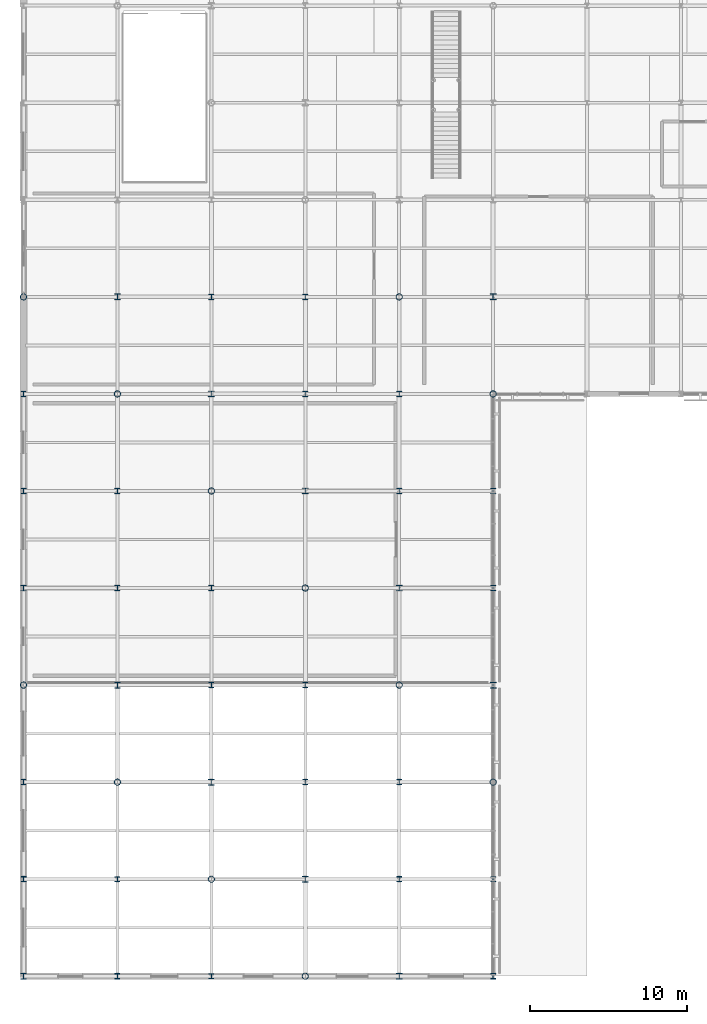
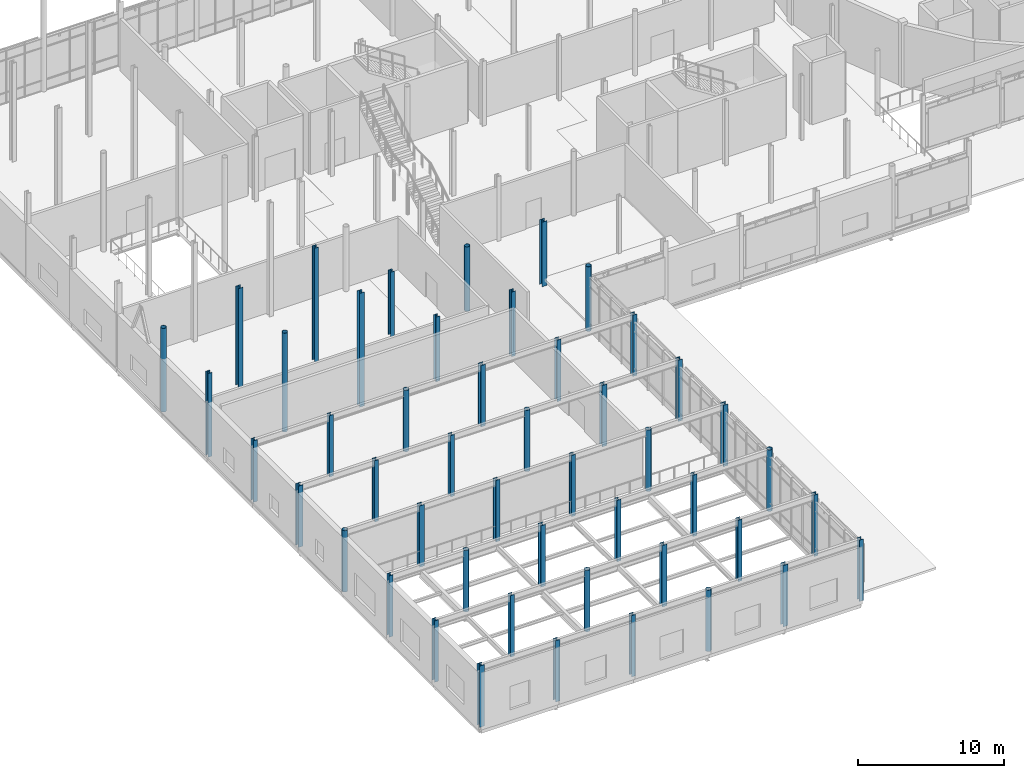
# One storey, part 1 of 105: 48 columns.
"""IFC4 building model written with IfcOpenShell, lengths in metres."""

from ifc_helpers import new_model, si_unit, direction, frame, origin, origin_2d, place, context, subcontext, project, spatial, hollow_circle, i_section, extrude, material, material_profile, profile_set, type_object, element, save


model = new_model("IFC4")

# Units and contexts
model_context = context("Model", 3, precision=1e-05, world=origin(), true_north=direction((0.0, 1.0)))
body_context = subcontext(model_context, "Body", "Model", "MODEL_VIEW")
ifc_project = project(units=[si_unit("LENGTHUNIT", "METRE"), si_unit("AREAUNIT", "SQUARE_METRE"), si_unit("VOLUMEUNIT", "CUBIC_METRE"), si_unit("PLANEANGLEUNIT", "RADIAN"), si_unit("MASSUNIT", "GRAM", prefix="KILO")], contexts=[model_context])

# Site, building, storey
site_placement = place(None, origin())
site = spatial("IfcSite", under=ifc_project, at=site_placement, CompositionType="ELEMENT")
building_placement = place(site_placement, origin())
building = spatial("IfcBuilding", under=site, at=building_placement, Name="Mirzam Square Science Centre", CompositionType="ELEMENT")
storey_placement = place(building_placement, frame((0.0, 0.0, 5.39990234375)))
storey = spatial("IfcBuildingStorey", under=building, at=storey_placement, Name="L01", CompositionType="ELEMENT", Elevation=5.39990234375)

# Columns
ifc_material = material(Name="Steel S355", Category="steel")
ifc_material_profile_1 = material_profile(ifc_material, hollow_circle(Radius=0.203125, WallThickness=0.01611328125, at=origin_2d()), Name="406.4x16.0CHS")
ifc_profile_set_1 = profile_set([ifc_material_profile_1], Name="Steel S355")
column_type_1 = type_object("IfcColumnType", Name="COL-CHS406", PredefinedType="COLUMN", material=ifc_profile_set_1)
column_1_placement = place(storey_placement, frame((0.0, 18.60009765625, 0.0), z_axis=(0.0, 0.0, 1.0), x_axis=(1.0, 0.0, 0.0)))
element("IfcColumn", 1, at=column_1_placement, inside=storey, type_object=column_type_1, Name="L01 column G01-04", PredefinedType="COLUMN", context=body_context, shape_type="SweptSolid", body=[
    extrude(hollow_circle(Radius=0.203125, WallThickness=0.01611328125, at=origin_2d()), origin(), (0.0, 0.0, 1.0), 5.130126953125),
])
column_2_placement = place(storey_placement, frame((0.0, 43.39990234375, 0.0), z_axis=(0.0, 0.0, 1.0), x_axis=(1.0, 0.0, 0.0)))
element("IfcColumn", 2, at=column_2_placement, inside=storey, type_object=column_type_1, Name="L01 column G01-08", PredefinedType="COLUMN", context=body_context, shape_type="SweptSolid", body=[
    extrude(hollow_circle(Radius=0.203125, WallThickness=0.01611328125, at=origin_2d()), origin(), (0.0, 0.0, 1.0), 6.989990234375),
])
column_3_placement = place(storey_placement, frame((6.0, 12.39990234375, 0.0), z_axis=(0.0, 0.0, 1.0), x_axis=(1.0, 0.0, 0.0)))
element("IfcColumn", 3, at=column_3_placement, inside=storey, type_object=column_type_1, Name="L01 column G02-03", PredefinedType="COLUMN", context=body_context, shape_type="SweptSolid", body=[
    extrude(hollow_circle(Radius=0.203125, WallThickness=0.01611328125, at=origin_2d()), origin(), (0.0, 0.0, 1.0), 5.130126953125),
])
column_4_placement = place(storey_placement, frame((6.0, 37.199951171875, 0.0), z_axis=(0.0, 0.0, 1.0), x_axis=(1.0, 0.0, 0.0)))
element("IfcColumn", 4, at=column_4_placement, inside=storey, type_object=column_type_1, Name="L01 column G02-07", PredefinedType="COLUMN", context=body_context, shape_type="SweptSolid", body=[
    extrude(hollow_circle(Radius=0.203125, WallThickness=0.01611328125, at=origin_2d()), origin(), (0.0, 0.0, 1.0), 8.25),
])
for number, where, z_axis, x_axis, name in (
    (5, (12.0, 6.199951171875, 0.0), (0.0, 0.0, 1.0), (1.0, 0.0, 0.0), "L01 column G03-02"),
    (6, (12.0, 31.0, 0.0), (0.0, 0.0, 1.0), (1.0, 0.0, 0.0), "L01 column G03-06"),
    (7, (18.0, 0.0, 0.0), (0.0, 0.0, 1.0), (1.0, 0.0, 0.0), "L01 column G04-01"),
    (8, (18.0, 24.800048828125, 0.0), (0.0, 0.0, 1.0), (1.0, 0.0, 0.0), "L01 column G04-05"),
    (9, (24.0, 18.60009765625, 0.0), (0.0, 0.0, 1.0), (1.0, 0.0, 0.0), "L01 column G05-04"),
):
    element("IfcColumn", number, at=place(storey_placement, frame(where, z_axis=z_axis, x_axis=x_axis)), inside=storey, type_object=column_type_1, Name=name, PredefinedType="COLUMN", context=body_context, shape_type="SweptSolid", body=[
        extrude(hollow_circle(Radius=0.203125, WallThickness=0.01611328125, at=origin_2d()), origin(), (0.0, 0.0, 1.0), 5.130126953125),
    ])
column_5_placement = place(storey_placement, frame((24.0, 43.39990234375, 0.0), z_axis=(0.0, 0.0, 1.0), x_axis=(1.0, 0.0, 0.0)))
element("IfcColumn", 10, at=column_5_placement, inside=storey, type_object=column_type_1, Name="L01 column G05-08", PredefinedType="COLUMN", context=body_context, shape_type="SweptSolid", body=[
    extrude(hollow_circle(Radius=0.203125, WallThickness=0.01611328125, at=origin_2d()), origin(), (0.0, 0.0, 1.0), 5.400146484375),
])
column_6_placement = place(storey_placement, frame((30.0, 12.39990234375, 0.0), z_axis=(0.0, 0.0, 1.0), x_axis=(1.0, 0.0, 0.0)))
element("IfcColumn", 11, at=column_6_placement, inside=storey, type_object=column_type_1, Name="L01 column G06-03", PredefinedType="COLUMN", context=body_context, shape_type="SweptSolid", body=[
    extrude(hollow_circle(Radius=0.203125, WallThickness=0.01611328125, at=origin_2d()), origin(), (0.0, 0.0, 1.0), 5.130126953125),
])
column_7_placement = place(storey_placement, frame((30.0, 37.199951171875, 0.0), z_axis=(0.0, 0.0, 1.0), x_axis=(1.0, 0.0, 0.0)))
element("IfcColumn", 12, at=column_7_placement, inside=storey, type_object=column_type_1, Name="L01 column G06-07", PredefinedType="COLUMN", context=body_context, shape_type="SweptSolid", body=[
    extrude(hollow_circle(Radius=0.203125, WallThickness=0.01611328125, at=origin_2d()), origin(), (0.0, 0.0, 1.0), 5.400146484375),
])
ifc_material_profile_2 = material_profile(ifc_material, i_section(OverallWidth=0.314453125, OverallDepth=0.33984375, WebThickness=0.01904296875, FlangeThickness=0.031494140625, FilletRadius=0.01513671875, at=origin_2d()), Name="305x305x198UC")
ifc_profile_set_2 = profile_set([ifc_material_profile_2], Name="Steel S355")
column_type_2 = type_object("IfcColumnType", Name="COL-UC305B", PredefinedType="COLUMN", material=ifc_profile_set_2)
column_8_placement = place(storey_placement, frame((0.0, 12.39990234375, 0.0), z_axis=(0.0, 0.0, 1.0), x_axis=(1.0, 0.0, 0.0)))
element("IfcColumn", 13, at=column_8_placement, inside=storey, type_object=column_type_2, Name="L01 column G01-03", PredefinedType="COLUMN", context=body_context, shape_type="SweptSolid", body=[
    extrude(i_section(OverallWidth=0.314453125, OverallDepth=0.33984375, WebThickness=0.01904296875, FlangeThickness=0.031494140625, FilletRadius=0.01513671875, at=origin_2d()), origin(), (0.0, 0.0, 1.0), 5.130126953125),
])
column_9_placement = place(storey_placement, frame((0.0, 37.199951171875, 0.0), z_axis=(0.0, 0.0, 1.0), x_axis=(1.0, 0.0, 0.0)))
element("IfcColumn", 14, at=column_9_placement, inside=storey, type_object=column_type_2, Name="L01 column G01-07", PredefinedType="COLUMN", context=body_context, shape_type="SweptSolid", body=[
    extrude(i_section(OverallWidth=0.314453125, OverallDepth=0.33984375, WebThickness=0.01904296875, FlangeThickness=0.031494140625, FilletRadius=0.01513671875, at=origin_2d()), origin(), (0.0, 0.0, 1.0), 6.989990234375),
])
for number, where, z_axis, x_axis, name in (
    (15, (6.0, 6.199951171875, 0.0), (0.0, 0.0, 1.0), (1.0, 0.0, 0.0), "L01 column G02-02"),
    (16, (6.0, 31.0, 0.0), (0.0, 0.0, 1.0), (1.0, 0.0, 0.0), "L01 column G02-06"),
    (17, (12.0, 0.0, 0.0), (0.0, 0.0, 1.0), (1.0, 0.0, 0.0), "L01 column G03-01"),
    (18, (12.0, 24.800048828125, 0.0), (0.0, 0.0, 1.0), (1.0, 0.0, 0.0), "L01 column G03-05"),
    (19, (18.0, 18.60009765625, 0.0), (0.0, 0.0, 1.0), (1.0, 0.0, 0.0), "L01 column G04-04"),
):
    element("IfcColumn", number, at=place(storey_placement, frame(where, z_axis=z_axis, x_axis=x_axis)), inside=storey, type_object=column_type_2, Name=name, PredefinedType="COLUMN", context=body_context, shape_type="SweptSolid", body=[
        extrude(i_section(OverallWidth=0.314453125, OverallDepth=0.33984375, WebThickness=0.01904296875, FlangeThickness=0.031494140625, FilletRadius=0.01513671875, at=origin_2d()), origin(), (0.0, 0.0, 1.0), 5.130126953125),
    ])
column_10_placement = place(storey_placement, frame((18.0, 43.39990234375, 0.0), z_axis=(0.0, 0.0, 1.0), x_axis=(1.0, 0.0, 0.0)))
element("IfcColumn", 20, at=column_10_placement, inside=storey, type_object=column_type_2, Name="L01 column G04-08", PredefinedType="COLUMN", context=body_context, shape_type="SweptSolid", body=[
    extrude(i_section(OverallWidth=0.314453125, OverallDepth=0.33984375, WebThickness=0.01904296875, FlangeThickness=0.031494140625, FilletRadius=0.01513671875, at=origin_2d()), origin(), (0.0, 0.0, 1.0), 5.400146484375),
])
column_11_placement = place(storey_placement, frame((24.0, 12.39990234375, 0.0), z_axis=(0.0, 0.0, 1.0), x_axis=(1.0, 0.0, 0.0)))
element("IfcColumn", 21, at=column_11_placement, inside=storey, type_object=column_type_2, Name="L01 column G05-03", PredefinedType="COLUMN", context=body_context, shape_type="SweptSolid", body=[
    extrude(i_section(OverallWidth=0.314453125, OverallDepth=0.33984375, WebThickness=0.01904296875, FlangeThickness=0.031494140625, FilletRadius=0.01513671875, at=origin_2d()), origin(), (0.0, 0.0, 1.0), 5.130126953125),
])
column_12_placement = place(storey_placement, frame((24.0, 37.199951171875, 0.0), z_axis=(0.0, 0.0, 1.0), x_axis=(1.0, 0.0, 0.0)))
element("IfcColumn", 22, at=column_12_placement, inside=storey, type_object=column_type_2, Name="L01 column G05-07", PredefinedType="COLUMN", context=body_context, shape_type="SweptSolid", body=[
    extrude(i_section(OverallWidth=0.314453125, OverallDepth=0.33984375, WebThickness=0.01904296875, FlangeThickness=0.031494140625, FilletRadius=0.01513671875, at=origin_2d()), origin(), (0.0, 0.0, 1.0), 5.400146484375),
])
for number, where, z_axis, x_axis, name in (
    (23, (30.0, 6.199951171875, 0.0), (0.0, 0.0, 1.0), (1.0, 0.0, 0.0), "L01 column G06-02"),
    (24, (30.0, 31.0, 0.0), (0.0, 0.0, 1.0), (1.0, 0.0, 0.0), "L01 column G06-06"),
):
    element("IfcColumn", number, at=place(storey_placement, frame(where, z_axis=z_axis, x_axis=x_axis)), inside=storey, type_object=column_type_2, Name=name, PredefinedType="COLUMN", context=body_context, shape_type="SweptSolid", body=[
        extrude(i_section(OverallWidth=0.314453125, OverallDepth=0.33984375, WebThickness=0.01904296875, FlangeThickness=0.031494140625, FilletRadius=0.01513671875, at=origin_2d()), origin(), (0.0, 0.0, 1.0), 5.130126953125),
    ])
ifc_material_profile_3 = material_profile(ifc_material, i_section(OverallWidth=0.318359375, OverallDepth=0.3525390625, WebThickness=0.02294921875, FlangeThickness=0.03759765625, FilletRadius=0.01513671875, at=origin_2d()), Name="305x305x240UC")
ifc_profile_set_3 = profile_set([ifc_material_profile_3], Name="Steel S355")
column_type_3 = type_object("IfcColumnType", Name="COL-UC305C", PredefinedType="COLUMN", material=ifc_profile_set_3)
for number, where, z_axis, x_axis, name in (
    (25, (0.0, 6.199951171875, 0.0), (0.0, 0.0, 1.0), (1.0, 0.0, 0.0), "L01 column G01-02"),
    (26, (0.0, 31.0, 0.0), (0.0, 0.0, 1.0), (1.0, 0.0, 0.0), "L01 column G01-06"),
    (27, (6.0, 0.0, 0.0), (0.0, 0.0, 1.0), (1.0, 0.0, 0.0), "L01 column G02-01"),
    (28, (6.0, 24.800048828125, 0.0), (0.0, 0.0, 1.0), (1.0, 0.0, 0.0), "L01 column G02-05"),
    (29, (12.0, 18.60009765625, 0.0), (0.0, 0.0, 1.0), (1.0, 0.0, 0.0), "L01 column G03-04"),
):
    element("IfcColumn", number, at=place(storey_placement, frame(where, z_axis=z_axis, x_axis=x_axis)), inside=storey, type_object=column_type_3, Name=name, PredefinedType="COLUMN", context=body_context, shape_type="SweptSolid", body=[
        extrude(i_section(OverallWidth=0.318359375, OverallDepth=0.3525390625, WebThickness=0.02294921875, FlangeThickness=0.03759765625, FilletRadius=0.01513671875, at=origin_2d()), origin(), (0.0, 0.0, 1.0), 5.130126953125),
    ])
column_13_placement = place(storey_placement, frame((12.0, 43.39990234375, 0.0), z_axis=(0.0, 0.0, 1.0), x_axis=(1.0, 0.0, 0.0)))
element("IfcColumn", 30, at=column_13_placement, inside=storey, type_object=column_type_3, Name="L01 column G03-08", PredefinedType="COLUMN", context=body_context, shape_type="SweptSolid", body=[
    extrude(i_section(OverallWidth=0.318359375, OverallDepth=0.3525390625, WebThickness=0.02294921875, FlangeThickness=0.03759765625, FilletRadius=0.01513671875, at=origin_2d()), origin(), (0.0, 0.0, 1.0), 9.510009765625),
])
column_14_placement = place(storey_placement, frame((18.0, 12.39990234375, 0.0), z_axis=(0.0, 0.0, 1.0), x_axis=(1.0, 0.0, 0.0)))
element("IfcColumn", 31, at=column_14_placement, inside=storey, type_object=column_type_3, Name="L01 column G04-03", PredefinedType="COLUMN", context=body_context, shape_type="SweptSolid", body=[
    extrude(i_section(OverallWidth=0.318359375, OverallDepth=0.3525390625, WebThickness=0.02294921875, FlangeThickness=0.03759765625, FilletRadius=0.01513671875, at=origin_2d()), origin(), (0.0, 0.0, 1.0), 5.130126953125),
])
column_15_placement = place(storey_placement, frame((18.0, 37.199951171875, 0.0), z_axis=(0.0, 0.0, 1.0), x_axis=(1.0, 0.0, 0.0)))
element("IfcColumn", 32, at=column_15_placement, inside=storey, type_object=column_type_3, Name="L01 column G04-07", PredefinedType="COLUMN", context=body_context, shape_type="SweptSolid", body=[
    extrude(i_section(OverallWidth=0.318359375, OverallDepth=0.3525390625, WebThickness=0.02294921875, FlangeThickness=0.03759765625, FilletRadius=0.01513671875, at=origin_2d()), origin(), (0.0, 0.0, 1.0), 5.400146484375),
])
for number, where, z_axis, x_axis, name in (
    (33, (24.0, 6.199951171875, 0.0), (0.0, 0.0, 1.0), (1.0, 0.0, 0.0), "L01 column G05-02"),
    (34, (24.0, 31.0, 0.0), (0.0, 0.0, 1.0), (1.0, 0.0, 0.0), "L01 column G05-06"),
    (35, (30.0, 0.0, 0.0), (0.0, 0.0, 1.0), (1.0, 0.0, 0.0), "L01 column G06-01"),
    (36, (30.0, 24.800048828125, 0.0), (0.0, 0.0, 1.0), (1.0, 0.0, 0.0), "L01 column G06-05"),
):
    element("IfcColumn", number, at=place(storey_placement, frame(where, z_axis=z_axis, x_axis=x_axis)), inside=storey, type_object=column_type_3, Name=name, PredefinedType="COLUMN", context=body_context, shape_type="SweptSolid", body=[
        extrude(i_section(OverallWidth=0.318359375, OverallDepth=0.3525390625, WebThickness=0.02294921875, FlangeThickness=0.03759765625, FilletRadius=0.01513671875, at=origin_2d()), origin(), (0.0, 0.0, 1.0), 5.130126953125),
    ])
ifc_material_profile_4 = material_profile(ifc_material, i_section(OverallWidth=0.374755859375, OverallDepth=0.37451171875, WebThickness=0.0166015625, FlangeThickness=0.027099609375, FilletRadius=0.01513671875, at=origin_2d()), Name="356x368x202UC")
ifc_profile_set_4 = profile_set([ifc_material_profile_4], Name="Steel S355")
column_type_4 = type_object("IfcColumnType", Name="COL-UC356A", PredefinedType="COLUMN", material=ifc_profile_set_4)
for number, where, z_axis, x_axis, name in (
    (37, (0.0, 0.0, 0.0), (0.0, 0.0, 1.0), (1.0, 0.0, 0.0), "L01 column G01-01"),
    (38, (0.0, 24.800048828125, 0.0), (0.0, 0.0, 1.0), (1.0, 0.0, 0.0), "L01 column G01-05"),
    (39, (6.0, 18.60009765625, 0.0), (0.0, 0.0, 1.0), (1.0, 0.0, 0.0), "L01 column G02-04"),
):
    element("IfcColumn", number, at=place(storey_placement, frame(where, z_axis=z_axis, x_axis=x_axis)), inside=storey, type_object=column_type_4, Name=name, PredefinedType="COLUMN", context=body_context, shape_type="SweptSolid", body=[
        extrude(i_section(OverallWidth=0.374755859375, OverallDepth=0.37451171875, WebThickness=0.0166015625, FlangeThickness=0.027099609375, FilletRadius=0.01513671875, at=origin_2d()), origin(), (0.0, 0.0, 1.0), 5.130126953125),
    ])
column_16_placement = place(storey_placement, frame((6.0, 43.39990234375, 0.0), z_axis=(0.0, 0.0, 1.0), x_axis=(1.0, 0.0, 0.0)))
element("IfcColumn", 40, at=column_16_placement, inside=storey, type_object=column_type_4, Name="L01 column G02-08", PredefinedType="COLUMN", context=body_context, shape_type="SweptSolid", body=[
    extrude(i_section(OverallWidth=0.374755859375, OverallDepth=0.37451171875, WebThickness=0.0166015625, FlangeThickness=0.027099609375, FilletRadius=0.01513671875, at=origin_2d()), origin(), (0.0, 0.0, 1.0), 8.25),
])
column_17_placement = place(storey_placement, frame((12.0, 12.39990234375, 0.0), z_axis=(0.0, 0.0, 1.0), x_axis=(1.0, 0.0, 0.0)))
element("IfcColumn", 41, at=column_17_placement, inside=storey, type_object=column_type_4, Name="L01 column G03-03", PredefinedType="COLUMN", context=body_context, shape_type="SweptSolid", body=[
    extrude(i_section(OverallWidth=0.374755859375, OverallDepth=0.37451171875, WebThickness=0.0166015625, FlangeThickness=0.027099609375, FilletRadius=0.01513671875, at=origin_2d()), origin(), (0.0, 0.0, 1.0), 5.130126953125),
])
column_18_placement = place(storey_placement, frame((12.0, 37.199951171875, 0.0), z_axis=(0.0, 0.0, 1.0), x_axis=(1.0, 0.0, 0.0)))
element("IfcColumn", 42, at=column_18_placement, inside=storey, type_object=column_type_4, Name="L01 column G03-07", PredefinedType="COLUMN", context=body_context, shape_type="SweptSolid", body=[
    extrude(i_section(OverallWidth=0.374755859375, OverallDepth=0.37451171875, WebThickness=0.0166015625, FlangeThickness=0.027099609375, FilletRadius=0.01513671875, at=origin_2d()), origin(), (0.0, 0.0, 1.0), 9.510009765625),
])
for number, where, z_axis, x_axis, name in (
    (43, (18.0, 6.199951171875, 0.0), (0.0, 0.0, 1.0), (1.0, 0.0, 0.0), "L01 column G04-02"),
    (44, (18.0, 31.0, 0.0), (0.0, 0.0, 1.0), (1.0, 0.0, 0.0), "L01 column G04-06"),
    (45, (24.0, 0.0, 0.0), (0.0, 0.0, 1.0), (1.0, 0.0, 0.0), "L01 column G05-01"),
    (46, (24.0, 24.800048828125, 0.0), (0.0, 0.0, 1.0), (1.0, 0.0, 0.0), "L01 column G05-05"),
    (47, (30.0, 18.60009765625, 0.0), (0.0, 0.0, 1.0), (1.0, 0.0, 0.0), "L01 column G06-04"),
):
    element("IfcColumn", number, at=place(storey_placement, frame(where, z_axis=z_axis, x_axis=x_axis)), inside=storey, type_object=column_type_4, Name=name, PredefinedType="COLUMN", context=body_context, shape_type="SweptSolid", body=[
        extrude(i_section(OverallWidth=0.374755859375, OverallDepth=0.37451171875, WebThickness=0.0166015625, FlangeThickness=0.027099609375, FilletRadius=0.01513671875, at=origin_2d()), origin(), (0.0, 0.0, 1.0), 5.130126953125),
    ])
column_19_placement = place(storey_placement, frame((30.0, 43.39990234375, 0.0), z_axis=(0.0, 0.0, 1.0), x_axis=(1.0, 0.0, 0.0)))
element("IfcColumn", 48, at=column_19_placement, inside=storey, type_object=column_type_4, Name="L01 column G06-08", PredefinedType="COLUMN", context=body_context, shape_type="SweptSolid", body=[
    extrude(i_section(OverallWidth=0.374755859375, OverallDepth=0.37451171875, WebThickness=0.0166015625, FlangeThickness=0.027099609375, FilletRadius=0.01513671875, at=origin_2d()), origin(), (0.0, 0.0, 1.0), 5.400146484375),
])

save(model, "model.ifc")
